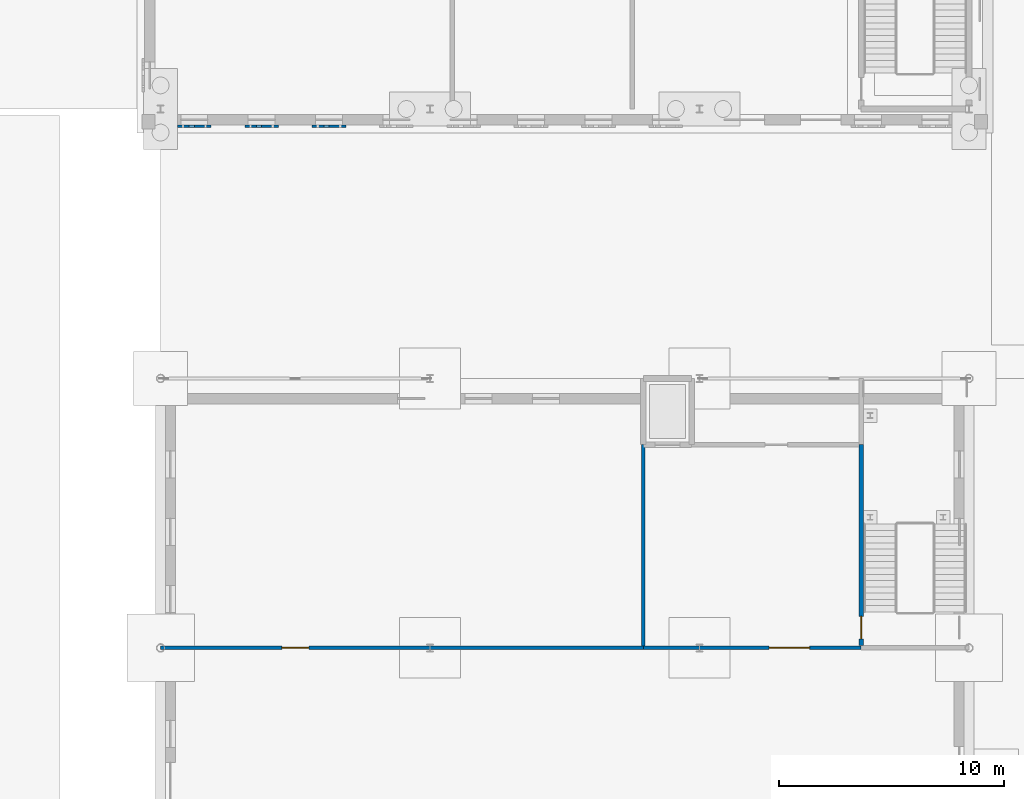
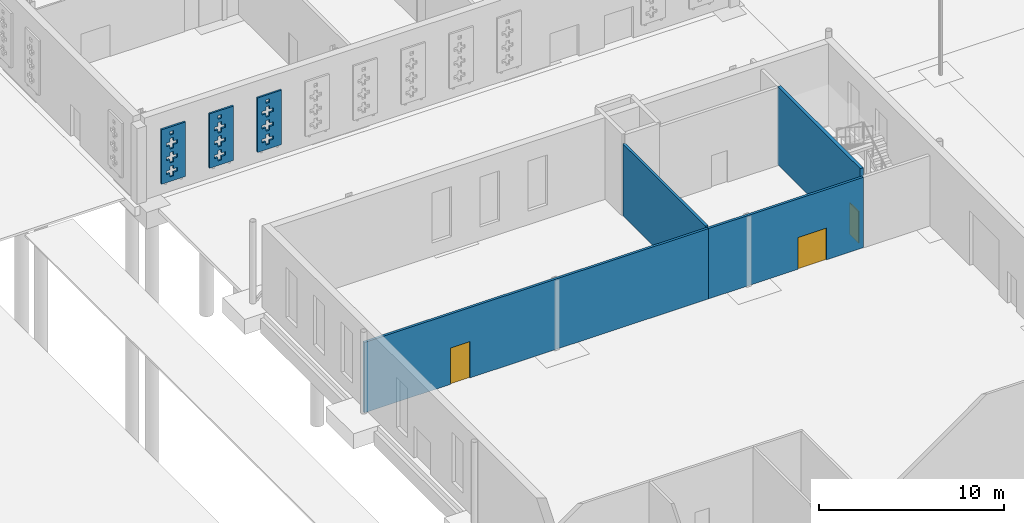
# One storey, part 78 of 132: 7 walls, 3 doors, 51 openings.
"""IFC4 building model written with IfcOpenShell, lengths in metres."""

import ifcopenshell
import ifcopenshell.guid

model = None  # the IFC model being written
_history = None  # IfcOwnerHistory: only IFC2X3 demands one
_inside = {}  # id of a spatial element -> (the spatial element, [elements in it])
_under = {}  # id of a project, library or spatial element -> (it, [spatial elements below it])
_declared = {}  # id of a project -> (the project, [libraries it declares])
_typed = {}  # id of a type object -> (the type object, [elements of that type])
_made_of = {}  # id of a material, layer set ... -> (it, [elements and type objects made of it])


def new_model(schema):
    """Start an empty IFC model of exactly this schema.

    Asked for "IFC4X3", IfcOpenShell would pick the latest addendum, in which some entities
    have other attributes; the version numbers below select the first issue.
    IFC2X3 requires an IfcOwnerHistory on every rooted entity: one is made here for all.
    """
    global model, _history
    if schema == "IFC4X3":
        model = ifcopenshell.file(schema_version=(4, 3, 0, 0))
    else:
        model = ifcopenshell.file(schema=schema)
    _inside.clear()
    _under.clear()
    _declared.clear()
    _typed.clear()
    _made_of.clear()
    _history = None
    if model.schema == "IFC2X3":
        org = make("IfcOrganization", Name="unknown")
        user = make(
            "IfcPersonAndOrganization",
            ThePerson=make("IfcPerson", FamilyName="unknown"),
            TheOrganization=org,
        )
        app = make(
            "IfcApplication",
            ApplicationDeveloper=org,
            Version="unknown",
            ApplicationFullName="unknown",
            ApplicationIdentifier="unknown",
        )
        _history = make(
            "IfcOwnerHistory",
            OwningUser=user,
            OwningApplication=app,
            ChangeAction="ADDED",
            CreationDate=0,
        )
    return model


def make(cls, **values):
    """One entity of the class cls with the attributes given. An attribute that is None is left unset."""
    return model.create_entity(
        cls, **{name: value for name, value in values.items() if value is not None}
    )


def rooted(cls, **values):
    """An entity with a GlobalId (a new one), such as an element, a storey or a relation."""
    return make(cls, GlobalId=ifcopenshell.guid.new(), OwnerHistory=_history, **values)


def si_unit(unit_type, name, prefix=None):
    """IfcSIUnit, for example si_unit("LENGTHUNIT", "METRE", prefix="MILLI")."""
    return make("IfcSIUnit", UnitType=unit_type, Prefix=prefix, Name=name)


def assignment(units):
    """IfcUnitAssignment: the units of a project."""
    return None if units is None else make("IfcUnitAssignment", Units=units)


def point(xyz):
    """IfcCartesianPoint."""
    return None if xyz is None else make("IfcCartesianPoint", Coordinates=xyz)


def direction(xyz):
    """IfcDirection."""
    return None if xyz is None else make("IfcDirection", DirectionRatios=xyz)


def frame(location, z_axis=None, x_axis=None):
    """IfcAxis2Placement3D, a coordinate frame: its origin and axes. An axis left out is left unset."""
    return make(
        "IfcAxis2Placement3D",
        Location=point(location),
        Axis=direction(z_axis),
        RefDirection=direction(x_axis),
    )


def frame_2d(location, x_axis=None):
    """IfcAxis2Placement2D, a coordinate frame in the plane: its origin and x axis."""
    return make(
        "IfcAxis2Placement2D", Location=point(location), RefDirection=direction(x_axis)
    )


def origin():
    """The frame at (0, 0, 0) with its axes left unset."""
    return frame((0.0, 0.0, 0.0))


def place(relative_to, where):
    """IfcLocalPlacement: puts the frame where relative to a parent placement (None: the world)."""
    return make(
        "IfcLocalPlacement", PlacementRelTo=relative_to, RelativePlacement=where
    )


def context(
    kind, dimensions, precision=None, world=None, true_north=None, identifier=None
):
    """IfcGeometricRepresentationContext, for example the 3D "Model" context."""
    return make(
        "IfcGeometricRepresentationContext",
        ContextIdentifier=identifier,
        ContextType=kind,
        CoordinateSpaceDimension=dimensions,
        Precision=precision,
        WorldCoordinateSystem=world,
        TrueNorth=true_north,
    )


def subcontext(parent, identifier, kind, view, scale=None):
    """IfcGeometricRepresentationSubContext, for example "Body" below "Model"."""
    return make(
        "IfcGeometricRepresentationSubContext",
        ContextIdentifier=identifier,
        ContextType=kind,
        ParentContext=parent,
        TargetScale=scale,
        TargetView=view,
    )


def project(units=None, contexts=None):
    """IfcProject with its units and contexts."""
    return rooted(
        "IfcProject",
        Name="project",
        RepresentationContexts=contexts,
        UnitsInContext=assignment(units),
    )


def spatial(cls, under=None, at=None, **own):
    """A site, building, storey or space (cls), placed at a placement, below another one or the project."""
    s = rooted(cls, ObjectPlacement=at, **own)
    if under is not None:
        _under.setdefault(under.id(), (under, []))[1].append(s)
    return s


def profile(cls, at=None, kind="AREA", **sizes):
    """A parametric profile (cls). Its sizes go by their IFC names, for example OverallWidth=200.0."""
    return make(cls, ProfileType=kind, Position=at, **sizes)


def rectangle(**sizes):
    """IfcRectangleProfileDef."""
    return profile("IfcRectangleProfileDef", **sizes)


def extrude(swept, where, along, depth):
    """IfcExtrudedAreaSolid: the profile swept, set in the frame where, extruded along a direction by depth."""
    return make(
        "IfcExtrudedAreaSolid",
        SweptArea=swept,
        Position=where,
        ExtrudedDirection=direction(along),
        Depth=depth,
    )


def shape(context_of_items, identifier, shape_type, items):
    """IfcShapeRepresentation: the items that make up one representation, for example the "Body"."""
    return make(
        "IfcShapeRepresentation",
        ContextOfItems=context_of_items,
        RepresentationIdentifier=identifier,
        RepresentationType=shape_type,
        Items=items,
    )


def material(Name=None, Category=None):
    """IfcMaterial."""
    return make("IfcMaterial", Name=Name, Category=Category)


def layer(
    of_material, thickness, ventilated=None, Name=None, Category=None, Priority=None
):
    """IfcMaterialLayer: one layer of a wall or slab, of a material (None: an air gap)."""
    return make(
        "IfcMaterialLayer",
        Material=of_material,
        LayerThickness=thickness,
        IsVentilated=ventilated,
        Name=Name,
        Category=Category,
        Priority=Priority,
    )


def layer_set(layers, Name=None):
    """IfcMaterialLayerSet."""
    return make("IfcMaterialLayerSet", MaterialLayers=layers, LayerSetName=Name)


def made_of(thing, what):
    """Note that an element or type object is made of a material, layer set ...; save() writes the relation."""
    if what is not None:
        _made_of.setdefault(what.id(), (what, []))[1].append(thing)
    return thing


def type_object(cls, material=None, **own):
    """A type object (cls), such as IfcWallType, which elements share."""
    return made_of(rooted(cls, **own), material)


def element(
    cls,
    number,
    at=None,
    inside=None,
    cuts=None,
    type_object=None,
    material=None,
    context=None,
    identifier="Body",
    shape_type=None,
    held_by="IfcProductDefinitionShape",
    body=None,
    shapes=None,
    **own,
):
    """One element of the class cls, such as IfcWall. Its Tag is "e" and its number.

    at: its placement. inside: the storey or other place that contains it. cuts: it is an
    opening in that element (IfcRelVoidsElement). A single representation is given by context,
    identifier, shape_type and body (its items); several are given by shapes. held_by: the class
    of the entity that holds the representations. save() writes the other relations.
    """
    e = rooted(cls, Tag="e%d" % number, ObjectPlacement=at, **own)
    if body is not None:
        shapes = [shape(context, identifier, shape_type, body)]
    if shapes is not None:
        e.Representation = make(held_by, Representations=shapes)
    if inside is not None:
        _inside.setdefault(inside.id(), (inside, []))[1].append(e)
    if cuts is not None:
        rooted(
            "IfcRelVoidsElement", RelatingBuildingElement=cuts, RelatedOpeningElement=e
        )
    if type_object is not None:
        _typed.setdefault(type_object.id(), (type_object, []))[1].append(e)
    return made_of(e, material)


def fill(opening, filler):
    """IfcRelFillsElement: the door or window that sits in an opening."""
    return rooted(
        "IfcRelFillsElement",
        RelatingOpeningElement=opening,
        RelatedBuildingElement=filler,
    )


def aggregate(whole, parts):
    """IfcRelAggregates: a whole, such as a stair, and the parts it consists of."""
    return rooted("IfcRelAggregates", RelatingObject=whole, RelatedObjects=parts)


def save(model, path):
    """Write the relations noted so far, then the file.

    IfcRelAggregates (storeys below a building ...), IfcRelContainedInSpatialStructure (elements
    in a storey), IfcRelDefinesByType, IfcRelAssociatesMaterial and IfcRelDeclares: one each for
    every whole, place, type object, material and project.
    """
    for whole, parts in _under.values():
        aggregate(whole, parts)
    for where, things in _inside.values():
        rooted(
            "IfcRelContainedInSpatialStructure",
            RelatedElements=things,
            RelatingStructure=where,
        )
    for kind, things in _typed.values():
        rooted("IfcRelDefinesByType", RelatedObjects=things, RelatingType=kind)
    for what, things in _made_of.values():
        rooted("IfcRelAssociatesMaterial", RelatedObjects=things, RelatingMaterial=what)
    for by, libraries in _declared.values():
        rooted("IfcRelDeclares", RelatingContext=by, RelatedDefinitions=libraries)
    model.write(path)


model = new_model("IFC4")

# Units and contexts
model_context = context("Model", 3, precision=1e-05, world=origin(), true_north=direction((0.0, 1.0)))
body_context = subcontext(model_context, "Body", "Model", "MODEL_VIEW")
ifc_project = project(units=[si_unit("LENGTHUNIT", "METRE"), si_unit("AREAUNIT", "SQUARE_METRE"), si_unit("VOLUMEUNIT", "CUBIC_METRE"), si_unit("PLANEANGLEUNIT", "RADIAN"), si_unit("MASSUNIT", "GRAM", prefix="KILO")], contexts=[model_context])

# Site, building, storey
site_placement = place(None, origin())
site = spatial("IfcSite", under=ifc_project, at=site_placement, CompositionType="ELEMENT")
building_placement = place(site_placement, origin())
building = spatial("IfcBuilding", under=site, at=building_placement, Name="Ravi Spectrum Wholesale Market", CompositionType="ELEMENT")
storey_placement = place(building_placement, origin())
storey = spatial("IfcBuildingStorey", under=building, at=storey_placement, Name="L00", CompositionType="ELEMENT", Elevation=0.0)

# Wall, opening, door
ifc_material_1 = material(Name="Concrete blockwork", Category="masonry")
ifc_layer_1 = layer(ifc_material_1, 0.14990234375)
ifc_layer_set_1 = layer_set([ifc_layer_1], Name="Concrete blockwork")
wall_type_1 = type_object("IfcWallType", Name="Blockwork partition 150", PredefinedType="PARTITIONING", material=ifc_layer_set_1)
wall_1_placement = place(storey_placement, frame((183.5, 174.0, 0.0), z_axis=(0.0, 0.0, 1.0), x_axis=(1.0, 0.0, 0.0)))
wall_1 = element("IfcWall", 1, at=wall_1_placement, inside=storey, type_object=wall_type_1, Name="H3-WL-L00-013", PredefinedType="PARTITIONING", context=body_context, shape_type="SweptSolid", body=[
    extrude(rectangle(XDim=9.699951171875, YDim=0.14990234375, at=frame_2d((4.85009765625, 0.0))), origin(), (0.0, 0.0, 1.0), 4.64990234375),
])
opening_1_placement = place(wall_1_placement, frame((5.60009765625, 0.0, 0.0)))
opening_1 = element("IfcOpeningElement", 2, at=opening_1_placement, cuts=wall_1, Name="Opening D358", PredefinedType="OPENING", context=body_context, shape_type="SweptSolid", body=[
    extrude(rectangle(XDim=1.800048828125, YDim=2.10009765625, at=frame_2d((0.89990234375, 1.050048828125))), frame((0.0, 0.0849609375, 0.0), z_axis=(0.0, -1.0, 0.0), x_axis=(1.0, 0.0, 0.0)), (0.0, 0.0, 1.0), 0.169921875),
])
ifc_material_2 = material(Name="Steel door", Category="steel")
door_type_1 = type_object("IfcDoorType", Name="Double leaf door 1800 x 2100", OperationType="DOUBLE_DOOR_SINGLE_SWING", PredefinedType="DOOR", material=ifc_material_2)
door_1_placement = place(opening_1_placement, origin())
door_1 = element("IfcDoor", 3, at=door_1_placement, inside=storey, type_object=door_type_1, Name="Door D358", OperationType="DOUBLE_DOOR_SINGLE_SWING", OverallHeight=2.10009765625, OverallWidth=1.800048828125, PredefinedType="DOOR", context=body_context, shape_type="SweptSolid", body=[
    extrude(rectangle(XDim=1.800048828125, YDim=2.10009765625, at=frame_2d((0.89990234375, 1.050048828125))), frame((0.0, 0.02490234375, 0.0), z_axis=(0.0, -1.0, 0.0), x_axis=(1.0, 0.0, 0.0)), (0.0, 0.0, 1.0), 0.050048828125),
])
fill(opening_1, door_1)

ifc_material_3 = material(Name="Concrete blockwork", Category="masonry")
ifc_layer_2 = layer(ifc_material_3, 0.199951171875)
ifc_layer_set_2 = layer_set([ifc_layer_2], Name="Concrete blockwork")
wall_type_2 = type_object("IfcWallType", Name="Blockwork partition 200 fire", PredefinedType="PARTITIONING", material=ifc_layer_set_2)
wall_2_placement = place(storey_placement, frame((193.199951171875, 174.10009765625, 0.0), z_axis=(0.0, 0.0, 1.0), x_axis=(0.0, 1.0, 0.0)))
wall_2 = element("IfcWall", 4, at=wall_2_placement, inside=storey, type_object=wall_type_2, Name="H3-WL-L00-020", PredefinedType="PARTITIONING", context=body_context, shape_type="SweptSolid", body=[
    extrude(rectangle(XDim=8.949951171875, YDim=0.199951171875, at=frame_2d((4.47509765625, 0.0))), origin(), (0.0, 0.0, 1.0), 5.14990234375),
])
opening_2_placement = place(wall_2_placement, frame((0.300048828125, 0.0, 0.0)))
opening_2 = element("IfcOpeningElement", 5, at=opening_2_placement, cuts=wall_2, Name="Opening D360", PredefinedType="OPENING", context=body_context, shape_type="SweptSolid", body=[
    extrude(rectangle(XDim=1.0, YDim=2.10009765625, at=frame_2d((0.5, 1.050048828125))), frame((0.0, 0.10986328125, 0.0), z_axis=(0.0, -1.0, 0.0), x_axis=(1.0, 0.0, 0.0)), (0.0, 0.0, 1.0), 0.219970703125),
])
ifc_material_4 = material(Name="Steel door", Category="steel")
door_type_2 = type_object("IfcDoorType", Name="Stair door 1000 x 2100", OperationType="SINGLE_SWING_LEFT", PredefinedType="DOOR", material=ifc_material_4)
door_2_placement = place(opening_2_placement, origin())
door_2 = element("IfcDoor", 6, at=door_2_placement, inside=storey, type_object=door_type_2, Name="Door D360", OperationType="SINGLE_SWING_RIGHT", OverallHeight=2.10009765625, OverallWidth=1.0, PredefinedType="DOOR", context=body_context, shape_type="SweptSolid", body=[
    extrude(rectangle(XDim=1.0, YDim=2.10009765625, at=frame_2d((0.5, 1.050048828125))), frame((0.0, 0.02490234375, 0.0), z_axis=(0.0, -1.0, 0.0), x_axis=(1.0, 0.0, 0.0)), (0.0, 0.0, 1.0), 0.050048828125),
])
fill(opening_2, door_2)

ifc_material_5 = material(Name="Insulated panel")
ifc_layer_3 = layer(ifc_material_5, 0.14990234375)
ifc_layer_set_3 = layer_set([ifc_layer_3], Name="Insulated panel")
wall_type_3 = type_object("IfcWallType", Name="Cold store panel 150", PredefinedType="PARTITIONING", material=ifc_layer_set_3)
wall_3_placement = place(storey_placement, frame((162.0, 174.0, 0.0), z_axis=(0.0, 0.0, 1.0), x_axis=(1.0, 0.0, 0.0)))
wall_3 = element("IfcWall", 7, at=wall_3_placement, inside=storey, type_object=wall_type_3, Name="H3-WL-L00-012", PredefinedType="PARTITIONING", context=body_context, shape_type="SweptSolid", body=[
    extrude(rectangle(XDim=21.5, YDim=0.14990234375, at=frame_2d((10.75, 0.0))), origin(), (0.0, 0.0, 1.0), 4.64990234375),
])
opening_3_placement = place(wall_3_placement, frame((5.39990234375, 0.0, 0.0)))
opening_3 = element("IfcOpeningElement", 8, at=opening_3_placement, cuts=wall_3, Name="Opening D357", PredefinedType="OPENING", context=body_context, shape_type="SweptSolid", body=[
    extrude(rectangle(XDim=1.199951171875, YDim=2.39990234375, at=frame_2d((0.60009765625, 1.199951171875))), frame((0.0, 0.0849609375, 0.0), z_axis=(0.0, -1.0, 0.0), x_axis=(1.0, 0.0, 0.0)), (0.0, 0.0, 1.0), 0.169921875),
])
ifc_material_6 = material(Name="Insulated panel door")
door_type_3 = type_object("IfcDoorType", Name="Cold store insulated door 1200 x 2400", OperationType="SINGLE_SWING_LEFT", PredefinedType="DOOR", material=ifc_material_6)
door_3_placement = place(opening_3_placement, origin())
door_3 = element("IfcDoor", 9, at=door_3_placement, inside=storey, type_object=door_type_3, Name="Door D357", OperationType="SINGLE_SWING_LEFT", OverallHeight=2.39990234375, OverallWidth=1.199951171875, PredefinedType="DOOR", context=body_context, shape_type="SweptSolid", body=[
    extrude(rectangle(XDim=1.199951171875, YDim=2.39990234375, at=frame_2d((0.60009765625, 1.199951171875))), frame((0.0, 0.02490234375, 0.0), z_axis=(0.0, -1.0, 0.0), x_axis=(1.0, 0.0, 0.0)), (0.0, 0.0, 1.0), 0.050048828125),
])
fill(opening_3, door_3)

# Wall
wall_4_placement = place(storey_placement, frame((183.5, 174.074951171875, 0.0), z_axis=(0.0, 0.0, 1.0), x_axis=(0.0, 1.0, 0.0)))
element("IfcWall", 10, at=wall_4_placement, inside=storey, type_object=wall_type_3, Name="H3-WL-L00-019", PredefinedType="PARTITIONING", context=body_context, shape_type="SweptSolid", body=[
    extrude(rectangle(XDim=8.97509765625, YDim=0.14990234375, at=frame_2d((4.487548828125, 0.0))), origin(), (0.0, 0.0, 1.0), 4.75),
])

# Wall, openings
ifc_material_7 = material(Name="Facing brickwork", Category="masonry")
ifc_layer_4 = layer(ifc_material_7, 0.114990234375)
ifc_layer_set_4 = layer_set([ifc_layer_4], Name="Facing brickwork")
wall_type_4 = type_object("IfcWallType", Name="Perforated brick screen 115", PredefinedType="SOLIDWALL", material=ifc_layer_set_4)
wall_5_placement = place(storey_placement, frame((162.75, 197.232421875, 0.75), z_axis=(0.0, 0.0, 1.0), x_axis=(1.0, 0.0, 0.0)))
wall_5 = element("IfcWall", 11, at=wall_5_placement, inside=storey, type_object=wall_type_4, Name="AU-WL-L00-010", PredefinedType="SOLIDWALL", context=body_context, shape_type="SweptSolid", body=[
    extrude(rectangle(XDim=1.5, YDim=0.114990234375, at=frame_2d((0.75, 0.0))), origin(), (0.0, 0.0, 1.0), 3.60009765625),
])
opening_4_placement = place(wall_5_placement, frame((0.52001953125, 0.0, 0.304931640625)))
element("IfcOpeningElement", 12, at=opening_4_placement, cuts=wall_5, Name="Opening AU-OP-L00-001", PredefinedType="OPENING", context=body_context, shape_type="SweptSolid", body=[
    extrude(rectangle(XDim=0.22998046875, YDim=0.22998046875, at=frame_2d((0.114990234375, 0.114990234375))), frame((0.0, 0.0673828125, 0.0), z_axis=(0.0, -1.0, 0.0), x_axis=(1.0, 0.0, 0.0)), (0.0, 0.0, 1.0), 0.135009765625),
])
opening_5_placement = place(wall_5_placement, frame((0.2900390625, 0.0, 0.534912109375)))
element("IfcOpeningElement", 13, at=opening_5_placement, cuts=wall_5, Name="Opening AU-OP-L00-002", PredefinedType="OPENING", context=body_context, shape_type="SweptSolid", body=[
    extrude(rectangle(XDim=0.22998046875, YDim=0.22998046875, at=frame_2d((0.114990234375, 0.114990234375))), frame((0.0, 0.0673828125, 0.0), z_axis=(0.0, -1.0, 0.0), x_axis=(1.0, 0.0, 0.0)), (0.0, 0.0, 1.0), 0.135009765625),
])
opening_6_placement = place(wall_5_placement, frame((0.52001953125, 0.0, 0.534912109375)))
element("IfcOpeningElement", 14, at=opening_6_placement, cuts=wall_5, Name="Opening AU-OP-L00-003", PredefinedType="OPENING", context=body_context, shape_type="SweptSolid", body=[
    extrude(rectangle(XDim=0.22998046875, YDim=0.22998046875, at=frame_2d((0.114990234375, 0.114990234375))), frame((0.0, 0.0673828125, 0.0), z_axis=(0.0, -1.0, 0.0), x_axis=(1.0, 0.0, 0.0)), (0.0, 0.0, 1.0), 0.135009765625),
])
opening_7_placement = place(wall_5_placement, frame((0.75, 0.0, 0.534912109375)))
element("IfcOpeningElement", 15, at=opening_7_placement, cuts=wall_5, Name="Opening AU-OP-L00-004", PredefinedType="OPENING", context=body_context, shape_type="SweptSolid", body=[
    extrude(rectangle(XDim=0.22998046875, YDim=0.22998046875, at=frame_2d((0.114990234375, 0.114990234375))), frame((0.0, 0.0673828125, 0.0), z_axis=(0.0, -1.0, 0.0), x_axis=(1.0, 0.0, 0.0)), (0.0, 0.0, 1.0), 0.135009765625),
])
opening_8_placement = place(wall_5_placement, frame((0.52001953125, 0.0, 0.764892578125)))
element("IfcOpeningElement", 16, at=opening_8_placement, cuts=wall_5, Name="Opening AU-OP-L00-005", PredefinedType="OPENING", context=body_context, shape_type="SweptSolid", body=[
    extrude(rectangle(XDim=0.22998046875, YDim=0.22998046875, at=frame_2d((0.114990234375, 0.114990234375))), frame((0.0, 0.0673828125, 0.0), z_axis=(0.0, -1.0, 0.0), x_axis=(1.0, 0.0, 0.0)), (0.0, 0.0, 1.0), 0.135009765625),
])
opening_9_placement = place(wall_5_placement, frame((0.52001953125, 0.0, 1.22509765625)))
element("IfcOpeningElement", 17, at=opening_9_placement, cuts=wall_5, Name="Opening AU-OP-L00-006", PredefinedType="OPENING", context=body_context, shape_type="SweptSolid", body=[
    extrude(rectangle(XDim=0.22998046875, YDim=0.22998046875, at=frame_2d((0.114990234375, 0.114990234375))), frame((0.0, 0.0673828125, 0.0), z_axis=(0.0, -1.0, 0.0), x_axis=(1.0, 0.0, 0.0)), (0.0, 0.0, 1.0), 0.135009765625),
])
opening_10_placement = place(wall_5_placement, frame((0.2900390625, 0.0, 1.455078125)))
element("IfcOpeningElement", 18, at=opening_10_placement, cuts=wall_5, Name="Opening AU-OP-L00-007", PredefinedType="OPENING", context=body_context, shape_type="SweptSolid", body=[
    extrude(rectangle(XDim=0.22998046875, YDim=0.22998046875, at=frame_2d((0.114990234375, 0.114990234375))), frame((0.0, 0.0673828125, 0.0), z_axis=(0.0, -1.0, 0.0), x_axis=(1.0, 0.0, 0.0)), (0.0, 0.0, 1.0), 0.135009765625),
])
opening_11_placement = place(wall_5_placement, frame((0.52001953125, 0.0, 1.455078125)))
element("IfcOpeningElement", 19, at=opening_11_placement, cuts=wall_5, Name="Opening AU-OP-L00-008", PredefinedType="OPENING", context=body_context, shape_type="SweptSolid", body=[
    extrude(rectangle(XDim=0.22998046875, YDim=0.22998046875, at=frame_2d((0.114990234375, 0.114990234375))), frame((0.0, 0.0673828125, 0.0), z_axis=(0.0, -1.0, 0.0), x_axis=(1.0, 0.0, 0.0)), (0.0, 0.0, 1.0), 0.135009765625),
])
opening_12_placement = place(wall_5_placement, frame((0.75, 0.0, 1.455078125)))
element("IfcOpeningElement", 20, at=opening_12_placement, cuts=wall_5, Name="Opening AU-OP-L00-009", PredefinedType="OPENING", context=body_context, shape_type="SweptSolid", body=[
    extrude(rectangle(XDim=0.22998046875, YDim=0.22998046875, at=frame_2d((0.114990234375, 0.114990234375))), frame((0.0, 0.0673828125, 0.0), z_axis=(0.0, -1.0, 0.0), x_axis=(1.0, 0.0, 0.0)), (0.0, 0.0, 1.0), 0.135009765625),
])
opening_13_placement = place(wall_5_placement, frame((0.52001953125, 0.0, 1.68505859375)))
element("IfcOpeningElement", 21, at=opening_13_placement, cuts=wall_5, Name="Opening AU-OP-L00-010", PredefinedType="OPENING", context=body_context, shape_type="SweptSolid", body=[
    extrude(rectangle(XDim=0.22998046875, YDim=0.22998046875, at=frame_2d((0.114990234375, 0.114990234375))), frame((0.0, 0.0673828125, 0.0), z_axis=(0.0, -1.0, 0.0), x_axis=(1.0, 0.0, 0.0)), (0.0, 0.0, 1.0), 0.135009765625),
])
opening_14_placement = place(wall_5_placement, frame((0.52001953125, 0.0, 2.14501953125)))
element("IfcOpeningElement", 22, at=opening_14_placement, cuts=wall_5, Name="Opening AU-OP-L00-011", PredefinedType="OPENING", context=body_context, shape_type="SweptSolid", body=[
    extrude(rectangle(XDim=0.22998046875, YDim=0.22998046875, at=frame_2d((0.114990234375, 0.114990234375))), frame((0.0, 0.0673828125, 0.0), z_axis=(0.0, -1.0, 0.0), x_axis=(1.0, 0.0, 0.0)), (0.0, 0.0, 1.0), 0.135009765625),
])
opening_15_placement = place(wall_5_placement, frame((0.2900390625, 0.0, 2.375)))
element("IfcOpeningElement", 23, at=opening_15_placement, cuts=wall_5, Name="Opening AU-OP-L00-012", PredefinedType="OPENING", context=body_context, shape_type="SweptSolid", body=[
    extrude(rectangle(XDim=0.22998046875, YDim=0.22998046875, at=frame_2d((0.114990234375, 0.114990234375))), frame((0.0, 0.0673828125, 0.0), z_axis=(0.0, -1.0, 0.0), x_axis=(1.0, 0.0, 0.0)), (0.0, 0.0, 1.0), 0.135009765625),
])
opening_16_placement = place(wall_5_placement, frame((0.52001953125, 0.0, 2.375)))
element("IfcOpeningElement", 24, at=opening_16_placement, cuts=wall_5, Name="Opening AU-OP-L00-013", PredefinedType="OPENING", context=body_context, shape_type="SweptSolid", body=[
    extrude(rectangle(XDim=0.22998046875, YDim=0.22998046875, at=frame_2d((0.114990234375, 0.114990234375))), frame((0.0, 0.0673828125, 0.0), z_axis=(0.0, -1.0, 0.0), x_axis=(1.0, 0.0, 0.0)), (0.0, 0.0, 1.0), 0.135009765625),
])
opening_17_placement = place(wall_5_placement, frame((0.75, 0.0, 2.375)))
element("IfcOpeningElement", 25, at=opening_17_placement, cuts=wall_5, Name="Opening AU-OP-L00-014", PredefinedType="OPENING", context=body_context, shape_type="SweptSolid", body=[
    extrude(rectangle(XDim=0.22998046875, YDim=0.22998046875, at=frame_2d((0.114990234375, 0.114990234375))), frame((0.0, 0.0673828125, 0.0), z_axis=(0.0, -1.0, 0.0), x_axis=(1.0, 0.0, 0.0)), (0.0, 0.0, 1.0), 0.135009765625),
])
opening_18_placement = place(wall_5_placement, frame((0.52001953125, 0.0, 2.60498046875)))
element("IfcOpeningElement", 26, at=opening_18_placement, cuts=wall_5, Name="Opening AU-OP-L00-015", PredefinedType="OPENING", context=body_context, shape_type="SweptSolid", body=[
    extrude(rectangle(XDim=0.22998046875, YDim=0.22998046875, at=frame_2d((0.114990234375, 0.114990234375))), frame((0.0, 0.0673828125, 0.0), z_axis=(0.0, -1.0, 0.0), x_axis=(1.0, 0.0, 0.0)), (0.0, 0.0, 1.0), 0.135009765625),
])
opening_19_placement = place(wall_5_placement, frame((0.52001953125, 0.0, 3.06494140625)))
element("IfcOpeningElement", 27, at=opening_19_placement, cuts=wall_5, Name="Opening AU-OP-L00-016", PredefinedType="OPENING", context=body_context, shape_type="SweptSolid", body=[
    extrude(rectangle(XDim=0.22998046875, YDim=0.22998046875, at=frame_2d((0.114990234375, 0.114990234375))), frame((0.0, 0.0673828125, 0.0), z_axis=(0.0, -1.0, 0.0), x_axis=(1.0, 0.0, 0.0)), (0.0, 0.0, 1.0), 0.135009765625),
])

wall_6_placement = place(storey_placement, frame((165.75, 197.232421875, 0.75), z_axis=(0.0, 0.0, 1.0), x_axis=(1.0, 0.0, 0.0)))
wall_6 = element("IfcWall", 28, at=wall_6_placement, inside=storey, type_object=wall_type_4, Name="AU-WL-L00-011", PredefinedType="SOLIDWALL", context=body_context, shape_type="SweptSolid", body=[
    extrude(rectangle(XDim=1.5, YDim=0.114990234375, at=frame_2d((0.75, 0.0))), origin(), (0.0, 0.0, 1.0), 3.60009765625),
])
opening_20_placement = place(wall_6_placement, frame((0.52001953125, 0.0, 0.304931640625)))
element("IfcOpeningElement", 29, at=opening_20_placement, cuts=wall_6, Name="Opening AU-OP-L00-017", PredefinedType="OPENING", context=body_context, shape_type="SweptSolid", body=[
    extrude(rectangle(XDim=0.22998046875, YDim=0.22998046875, at=frame_2d((0.114990234375, 0.114990234375))), frame((0.0, 0.0673828125, 0.0), z_axis=(0.0, -1.0, 0.0), x_axis=(1.0, 0.0, 0.0)), (0.0, 0.0, 1.0), 0.135009765625),
])
opening_21_placement = place(wall_6_placement, frame((0.2900390625, 0.0, 0.534912109375)))
element("IfcOpeningElement", 30, at=opening_21_placement, cuts=wall_6, Name="Opening AU-OP-L00-018", PredefinedType="OPENING", context=body_context, shape_type="SweptSolid", body=[
    extrude(rectangle(XDim=0.22998046875, YDim=0.22998046875, at=frame_2d((0.114990234375, 0.114990234375))), frame((0.0, 0.0673828125, 0.0), z_axis=(0.0, -1.0, 0.0), x_axis=(1.0, 0.0, 0.0)), (0.0, 0.0, 1.0), 0.135009765625),
])
opening_22_placement = place(wall_6_placement, frame((0.52001953125, 0.0, 0.534912109375)))
element("IfcOpeningElement", 31, at=opening_22_placement, cuts=wall_6, Name="Opening AU-OP-L00-019", PredefinedType="OPENING", context=body_context, shape_type="SweptSolid", body=[
    extrude(rectangle(XDim=0.22998046875, YDim=0.22998046875, at=frame_2d((0.114990234375, 0.114990234375))), frame((0.0, 0.0673828125, 0.0), z_axis=(0.0, -1.0, 0.0), x_axis=(1.0, 0.0, 0.0)), (0.0, 0.0, 1.0), 0.135009765625),
])
opening_23_placement = place(wall_6_placement, frame((0.75, 0.0, 0.534912109375)))
element("IfcOpeningElement", 32, at=opening_23_placement, cuts=wall_6, Name="Opening AU-OP-L00-020", PredefinedType="OPENING", context=body_context, shape_type="SweptSolid", body=[
    extrude(rectangle(XDim=0.22998046875, YDim=0.22998046875, at=frame_2d((0.114990234375, 0.114990234375))), frame((0.0, 0.0673828125, 0.0), z_axis=(0.0, -1.0, 0.0), x_axis=(1.0, 0.0, 0.0)), (0.0, 0.0, 1.0), 0.135009765625),
])
opening_24_placement = place(wall_6_placement, frame((0.52001953125, 0.0, 0.764892578125)))
element("IfcOpeningElement", 33, at=opening_24_placement, cuts=wall_6, Name="Opening AU-OP-L00-021", PredefinedType="OPENING", context=body_context, shape_type="SweptSolid", body=[
    extrude(rectangle(XDim=0.22998046875, YDim=0.22998046875, at=frame_2d((0.114990234375, 0.114990234375))), frame((0.0, 0.0673828125, 0.0), z_axis=(0.0, -1.0, 0.0), x_axis=(1.0, 0.0, 0.0)), (0.0, 0.0, 1.0), 0.135009765625),
])
opening_25_placement = place(wall_6_placement, frame((0.52001953125, 0.0, 1.22509765625)))
element("IfcOpeningElement", 34, at=opening_25_placement, cuts=wall_6, Name="Opening AU-OP-L00-022", PredefinedType="OPENING", context=body_context, shape_type="SweptSolid", body=[
    extrude(rectangle(XDim=0.22998046875, YDim=0.22998046875, at=frame_2d((0.114990234375, 0.114990234375))), frame((0.0, 0.0673828125, 0.0), z_axis=(0.0, -1.0, 0.0), x_axis=(1.0, 0.0, 0.0)), (0.0, 0.0, 1.0), 0.135009765625),
])
opening_26_placement = place(wall_6_placement, frame((0.2900390625, 0.0, 1.455078125)))
element("IfcOpeningElement", 35, at=opening_26_placement, cuts=wall_6, Name="Opening AU-OP-L00-023", PredefinedType="OPENING", context=body_context, shape_type="SweptSolid", body=[
    extrude(rectangle(XDim=0.22998046875, YDim=0.22998046875, at=frame_2d((0.114990234375, 0.114990234375))), frame((0.0, 0.0673828125, 0.0), z_axis=(0.0, -1.0, 0.0), x_axis=(1.0, 0.0, 0.0)), (0.0, 0.0, 1.0), 0.135009765625),
])
opening_27_placement = place(wall_6_placement, frame((0.52001953125, 0.0, 1.455078125)))
element("IfcOpeningElement", 36, at=opening_27_placement, cuts=wall_6, Name="Opening AU-OP-L00-024", PredefinedType="OPENING", context=body_context, shape_type="SweptSolid", body=[
    extrude(rectangle(XDim=0.22998046875, YDim=0.22998046875, at=frame_2d((0.114990234375, 0.114990234375))), frame((0.0, 0.0673828125, 0.0), z_axis=(0.0, -1.0, 0.0), x_axis=(1.0, 0.0, 0.0)), (0.0, 0.0, 1.0), 0.135009765625),
])
opening_28_placement = place(wall_6_placement, frame((0.75, 0.0, 1.455078125)))
element("IfcOpeningElement", 37, at=opening_28_placement, cuts=wall_6, Name="Opening AU-OP-L00-025", PredefinedType="OPENING", context=body_context, shape_type="SweptSolid", body=[
    extrude(rectangle(XDim=0.22998046875, YDim=0.22998046875, at=frame_2d((0.114990234375, 0.114990234375))), frame((0.0, 0.0673828125, 0.0), z_axis=(0.0, -1.0, 0.0), x_axis=(1.0, 0.0, 0.0)), (0.0, 0.0, 1.0), 0.135009765625),
])
opening_29_placement = place(wall_6_placement, frame((0.52001953125, 0.0, 1.68505859375)))
element("IfcOpeningElement", 38, at=opening_29_placement, cuts=wall_6, Name="Opening AU-OP-L00-026", PredefinedType="OPENING", context=body_context, shape_type="SweptSolid", body=[
    extrude(rectangle(XDim=0.22998046875, YDim=0.22998046875, at=frame_2d((0.114990234375, 0.114990234375))), frame((0.0, 0.0673828125, 0.0), z_axis=(0.0, -1.0, 0.0), x_axis=(1.0, 0.0, 0.0)), (0.0, 0.0, 1.0), 0.135009765625),
])
opening_30_placement = place(wall_6_placement, frame((0.52001953125, 0.0, 2.14501953125)))
element("IfcOpeningElement", 39, at=opening_30_placement, cuts=wall_6, Name="Opening AU-OP-L00-027", PredefinedType="OPENING", context=body_context, shape_type="SweptSolid", body=[
    extrude(rectangle(XDim=0.22998046875, YDim=0.22998046875, at=frame_2d((0.114990234375, 0.114990234375))), frame((0.0, 0.0673828125, 0.0), z_axis=(0.0, -1.0, 0.0), x_axis=(1.0, 0.0, 0.0)), (0.0, 0.0, 1.0), 0.135009765625),
])
opening_31_placement = place(wall_6_placement, frame((0.2900390625, 0.0, 2.375)))
element("IfcOpeningElement", 40, at=opening_31_placement, cuts=wall_6, Name="Opening AU-OP-L00-028", PredefinedType="OPENING", context=body_context, shape_type="SweptSolid", body=[
    extrude(rectangle(XDim=0.22998046875, YDim=0.22998046875, at=frame_2d((0.114990234375, 0.114990234375))), frame((0.0, 0.0673828125, 0.0), z_axis=(0.0, -1.0, 0.0), x_axis=(1.0, 0.0, 0.0)), (0.0, 0.0, 1.0), 0.135009765625),
])
opening_32_placement = place(wall_6_placement, frame((0.52001953125, 0.0, 2.375)))
element("IfcOpeningElement", 41, at=opening_32_placement, cuts=wall_6, Name="Opening AU-OP-L00-029", PredefinedType="OPENING", context=body_context, shape_type="SweptSolid", body=[
    extrude(rectangle(XDim=0.22998046875, YDim=0.22998046875, at=frame_2d((0.114990234375, 0.114990234375))), frame((0.0, 0.0673828125, 0.0), z_axis=(0.0, -1.0, 0.0), x_axis=(1.0, 0.0, 0.0)), (0.0, 0.0, 1.0), 0.135009765625),
])
opening_33_placement = place(wall_6_placement, frame((0.75, 0.0, 2.375)))
element("IfcOpeningElement", 42, at=opening_33_placement, cuts=wall_6, Name="Opening AU-OP-L00-030", PredefinedType="OPENING", context=body_context, shape_type="SweptSolid", body=[
    extrude(rectangle(XDim=0.22998046875, YDim=0.22998046875, at=frame_2d((0.114990234375, 0.114990234375))), frame((0.0, 0.0673828125, 0.0), z_axis=(0.0, -1.0, 0.0), x_axis=(1.0, 0.0, 0.0)), (0.0, 0.0, 1.0), 0.135009765625),
])
opening_34_placement = place(wall_6_placement, frame((0.52001953125, 0.0, 2.60498046875)))
element("IfcOpeningElement", 43, at=opening_34_placement, cuts=wall_6, Name="Opening AU-OP-L00-031", PredefinedType="OPENING", context=body_context, shape_type="SweptSolid", body=[
    extrude(rectangle(XDim=0.22998046875, YDim=0.22998046875, at=frame_2d((0.114990234375, 0.114990234375))), frame((0.0, 0.0673828125, 0.0), z_axis=(0.0, -1.0, 0.0), x_axis=(1.0, 0.0, 0.0)), (0.0, 0.0, 1.0), 0.135009765625),
])
opening_35_placement = place(wall_6_placement, frame((0.52001953125, 0.0, 3.06494140625)))
element("IfcOpeningElement", 44, at=opening_35_placement, cuts=wall_6, Name="Opening AU-OP-L00-032", PredefinedType="OPENING", context=body_context, shape_type="SweptSolid", body=[
    extrude(rectangle(XDim=0.22998046875, YDim=0.22998046875, at=frame_2d((0.114990234375, 0.114990234375))), frame((0.0, 0.0673828125, 0.0), z_axis=(0.0, -1.0, 0.0), x_axis=(1.0, 0.0, 0.0)), (0.0, 0.0, 1.0), 0.135009765625),
])

wall_7_placement = place(storey_placement, frame((168.75, 197.232421875, 0.75), z_axis=(0.0, 0.0, 1.0), x_axis=(1.0, 0.0, 0.0)))
wall_7 = element("IfcWall", 45, at=wall_7_placement, inside=storey, type_object=wall_type_4, Name="AU-WL-L00-012", PredefinedType="SOLIDWALL", context=body_context, shape_type="SweptSolid", body=[
    extrude(rectangle(XDim=1.5, YDim=0.114990234375, at=frame_2d((0.75, 0.0))), origin(), (0.0, 0.0, 1.0), 3.60009765625),
])
opening_36_placement = place(wall_7_placement, frame((0.52001953125, 0.0, 0.304931640625)))
element("IfcOpeningElement", 46, at=opening_36_placement, cuts=wall_7, Name="Opening AU-OP-L00-033", PredefinedType="OPENING", context=body_context, shape_type="SweptSolid", body=[
    extrude(rectangle(XDim=0.22998046875, YDim=0.22998046875, at=frame_2d((0.114990234375, 0.114990234375))), frame((0.0, 0.0673828125, 0.0), z_axis=(0.0, -1.0, 0.0), x_axis=(1.0, 0.0, 0.0)), (0.0, 0.0, 1.0), 0.135009765625),
])
opening_37_placement = place(wall_7_placement, frame((0.2900390625, 0.0, 0.534912109375)))
element("IfcOpeningElement", 47, at=opening_37_placement, cuts=wall_7, Name="Opening AU-OP-L00-034", PredefinedType="OPENING", context=body_context, shape_type="SweptSolid", body=[
    extrude(rectangle(XDim=0.22998046875, YDim=0.22998046875, at=frame_2d((0.114990234375, 0.114990234375))), frame((0.0, 0.0673828125, 0.0), z_axis=(0.0, -1.0, 0.0), x_axis=(1.0, 0.0, 0.0)), (0.0, 0.0, 1.0), 0.135009765625),
])
opening_38_placement = place(wall_7_placement, frame((0.52001953125, 0.0, 0.534912109375)))
element("IfcOpeningElement", 48, at=opening_38_placement, cuts=wall_7, Name="Opening AU-OP-L00-035", PredefinedType="OPENING", context=body_context, shape_type="SweptSolid", body=[
    extrude(rectangle(XDim=0.22998046875, YDim=0.22998046875, at=frame_2d((0.114990234375, 0.114990234375))), frame((0.0, 0.0673828125, 0.0), z_axis=(0.0, -1.0, 0.0), x_axis=(1.0, 0.0, 0.0)), (0.0, 0.0, 1.0), 0.135009765625),
])
opening_39_placement = place(wall_7_placement, frame((0.75, 0.0, 0.534912109375)))
element("IfcOpeningElement", 49, at=opening_39_placement, cuts=wall_7, Name="Opening AU-OP-L00-036", PredefinedType="OPENING", context=body_context, shape_type="SweptSolid", body=[
    extrude(rectangle(XDim=0.22998046875, YDim=0.22998046875, at=frame_2d((0.114990234375, 0.114990234375))), frame((0.0, 0.0673828125, 0.0), z_axis=(0.0, -1.0, 0.0), x_axis=(1.0, 0.0, 0.0)), (0.0, 0.0, 1.0), 0.135009765625),
])
opening_40_placement = place(wall_7_placement, frame((0.52001953125, 0.0, 0.764892578125)))
element("IfcOpeningElement", 50, at=opening_40_placement, cuts=wall_7, Name="Opening AU-OP-L00-037", PredefinedType="OPENING", context=body_context, shape_type="SweptSolid", body=[
    extrude(rectangle(XDim=0.22998046875, YDim=0.22998046875, at=frame_2d((0.114990234375, 0.114990234375))), frame((0.0, 0.0673828125, 0.0), z_axis=(0.0, -1.0, 0.0), x_axis=(1.0, 0.0, 0.0)), (0.0, 0.0, 1.0), 0.135009765625),
])
opening_41_placement = place(wall_7_placement, frame((0.52001953125, 0.0, 1.22509765625)))
element("IfcOpeningElement", 51, at=opening_41_placement, cuts=wall_7, Name="Opening AU-OP-L00-038", PredefinedType="OPENING", context=body_context, shape_type="SweptSolid", body=[
    extrude(rectangle(XDim=0.22998046875, YDim=0.22998046875, at=frame_2d((0.114990234375, 0.114990234375))), frame((0.0, 0.0673828125, 0.0), z_axis=(0.0, -1.0, 0.0), x_axis=(1.0, 0.0, 0.0)), (0.0, 0.0, 1.0), 0.135009765625),
])
opening_42_placement = place(wall_7_placement, frame((0.2900390625, 0.0, 1.455078125)))
element("IfcOpeningElement", 52, at=opening_42_placement, cuts=wall_7, Name="Opening AU-OP-L00-039", PredefinedType="OPENING", context=body_context, shape_type="SweptSolid", body=[
    extrude(rectangle(XDim=0.22998046875, YDim=0.22998046875, at=frame_2d((0.114990234375, 0.114990234375))), frame((0.0, 0.0673828125, 0.0), z_axis=(0.0, -1.0, 0.0), x_axis=(1.0, 0.0, 0.0)), (0.0, 0.0, 1.0), 0.135009765625),
])
opening_43_placement = place(wall_7_placement, frame((0.52001953125, 0.0, 1.455078125)))
element("IfcOpeningElement", 53, at=opening_43_placement, cuts=wall_7, Name="Opening AU-OP-L00-040", PredefinedType="OPENING", context=body_context, shape_type="SweptSolid", body=[
    extrude(rectangle(XDim=0.22998046875, YDim=0.22998046875, at=frame_2d((0.114990234375, 0.114990234375))), frame((0.0, 0.0673828125, 0.0), z_axis=(0.0, -1.0, 0.0), x_axis=(1.0, 0.0, 0.0)), (0.0, 0.0, 1.0), 0.135009765625),
])
opening_44_placement = place(wall_7_placement, frame((0.75, 0.0, 1.455078125)))
element("IfcOpeningElement", 54, at=opening_44_placement, cuts=wall_7, Name="Opening AU-OP-L00-041", PredefinedType="OPENING", context=body_context, shape_type="SweptSolid", body=[
    extrude(rectangle(XDim=0.22998046875, YDim=0.22998046875, at=frame_2d((0.114990234375, 0.114990234375))), frame((0.0, 0.0673828125, 0.0), z_axis=(0.0, -1.0, 0.0), x_axis=(1.0, 0.0, 0.0)), (0.0, 0.0, 1.0), 0.135009765625),
])
opening_45_placement = place(wall_7_placement, frame((0.52001953125, 0.0, 1.68505859375)))
element("IfcOpeningElement", 55, at=opening_45_placement, cuts=wall_7, Name="Opening AU-OP-L00-042", PredefinedType="OPENING", context=body_context, shape_type="SweptSolid", body=[
    extrude(rectangle(XDim=0.22998046875, YDim=0.22998046875, at=frame_2d((0.114990234375, 0.114990234375))), frame((0.0, 0.0673828125, 0.0), z_axis=(0.0, -1.0, 0.0), x_axis=(1.0, 0.0, 0.0)), (0.0, 0.0, 1.0), 0.135009765625),
])
opening_46_placement = place(wall_7_placement, frame((0.52001953125, 0.0, 2.14501953125)))
element("IfcOpeningElement", 56, at=opening_46_placement, cuts=wall_7, Name="Opening AU-OP-L00-043", PredefinedType="OPENING", context=body_context, shape_type="SweptSolid", body=[
    extrude(rectangle(XDim=0.22998046875, YDim=0.22998046875, at=frame_2d((0.114990234375, 0.114990234375))), frame((0.0, 0.0673828125, 0.0), z_axis=(0.0, -1.0, 0.0), x_axis=(1.0, 0.0, 0.0)), (0.0, 0.0, 1.0), 0.135009765625),
])
opening_47_placement = place(wall_7_placement, frame((0.2900390625, 0.0, 2.375)))
element("IfcOpeningElement", 57, at=opening_47_placement, cuts=wall_7, Name="Opening AU-OP-L00-044", PredefinedType="OPENING", context=body_context, shape_type="SweptSolid", body=[
    extrude(rectangle(XDim=0.22998046875, YDim=0.22998046875, at=frame_2d((0.114990234375, 0.114990234375))), frame((0.0, 0.0673828125, 0.0), z_axis=(0.0, -1.0, 0.0), x_axis=(1.0, 0.0, 0.0)), (0.0, 0.0, 1.0), 0.135009765625),
])
opening_48_placement = place(wall_7_placement, frame((0.52001953125, 0.0, 2.375)))
element("IfcOpeningElement", 58, at=opening_48_placement, cuts=wall_7, Name="Opening AU-OP-L00-045", PredefinedType="OPENING", context=body_context, shape_type="SweptSolid", body=[
    extrude(rectangle(XDim=0.22998046875, YDim=0.22998046875, at=frame_2d((0.114990234375, 0.114990234375))), frame((0.0, 0.0673828125, 0.0), z_axis=(0.0, -1.0, 0.0), x_axis=(1.0, 0.0, 0.0)), (0.0, 0.0, 1.0), 0.135009765625),
])
opening_49_placement = place(wall_7_placement, frame((0.75, 0.0, 2.375)))
element("IfcOpeningElement", 59, at=opening_49_placement, cuts=wall_7, Name="Opening AU-OP-L00-046", PredefinedType="OPENING", context=body_context, shape_type="SweptSolid", body=[
    extrude(rectangle(XDim=0.22998046875, YDim=0.22998046875, at=frame_2d((0.114990234375, 0.114990234375))), frame((0.0, 0.0673828125, 0.0), z_axis=(0.0, -1.0, 0.0), x_axis=(1.0, 0.0, 0.0)), (0.0, 0.0, 1.0), 0.135009765625),
])
opening_50_placement = place(wall_7_placement, frame((0.52001953125, 0.0, 2.60498046875)))
element("IfcOpeningElement", 60, at=opening_50_placement, cuts=wall_7, Name="Opening AU-OP-L00-047", PredefinedType="OPENING", context=body_context, shape_type="SweptSolid", body=[
    extrude(rectangle(XDim=0.22998046875, YDim=0.22998046875, at=frame_2d((0.114990234375, 0.114990234375))), frame((0.0, 0.0673828125, 0.0), z_axis=(0.0, -1.0, 0.0), x_axis=(1.0, 0.0, 0.0)), (0.0, 0.0, 1.0), 0.135009765625),
])
opening_51_placement = place(wall_7_placement, frame((0.52001953125, 0.0, 3.06494140625)))
element("IfcOpeningElement", 61, at=opening_51_placement, cuts=wall_7, Name="Opening AU-OP-L00-048", PredefinedType="OPENING", context=body_context, shape_type="SweptSolid", body=[
    extrude(rectangle(XDim=0.22998046875, YDim=0.22998046875, at=frame_2d((0.114990234375, 0.114990234375))), frame((0.0, 0.0673828125, 0.0), z_axis=(0.0, -1.0, 0.0), x_axis=(1.0, 0.0, 0.0)), (0.0, 0.0, 1.0), 0.135009765625),
])

save(model, "model.ifc")
